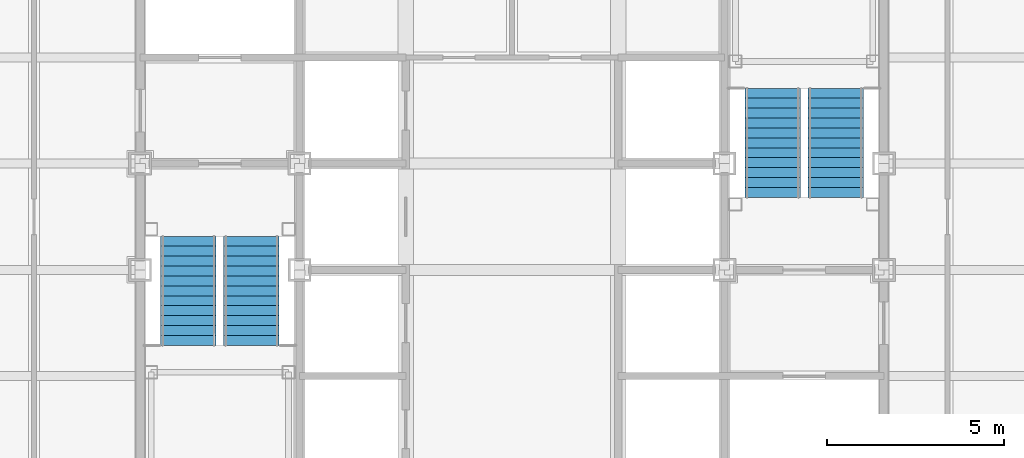
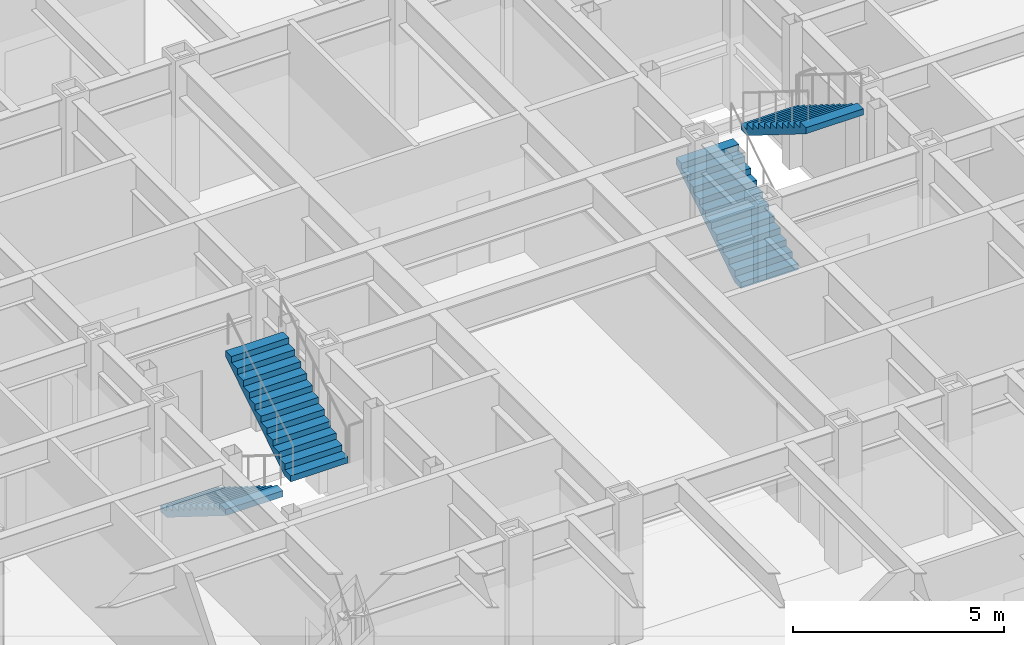
# One storey, part 14 of 16: 4 stair flights, 2 elements without a shape of their own.
"""IFC4 building model written with IfcOpenShell, lengths in metres."""

from ifc_helpers import new_model, si_unit, direction, frame, origin, place, context, subcontext, project, spatial, faceted_brep, material, type_object, element, aggregate, save


model = new_model("IFC4")

# Units and contexts
model_context = context("Model", 3, precision=1e-05, world=origin(), true_north=direction((0.0, 1.0)))
body_context = subcontext(model_context, "Body", "Model", "MODEL_VIEW")
ifc_project = project(units=[si_unit("LENGTHUNIT", "METRE"), si_unit("AREAUNIT", "SQUARE_METRE"), si_unit("VOLUMEUNIT", "CUBIC_METRE"), si_unit("PLANEANGLEUNIT", "RADIAN"), si_unit("MASSUNIT", "GRAM", prefix="KILO")], contexts=[model_context])

# Site, building, storey
site_placement = place(None, origin())
site = spatial("IfcSite", under=ifc_project, at=site_placement, CompositionType="ELEMENT")
building_placement = place(site_placement, origin())
building = spatial("IfcBuilding", under=site, at=building_placement, Name="Chuquiago Exchange Tower", CompositionType="ELEMENT")
storey_placement = place(building_placement, frame((0.0, 0.0, 213.89990234375)))
storey = spatial("IfcBuildingStorey", under=building, at=storey_placement, Name="L47", CompositionType="ELEMENT", Elevation=213.89990234375)

# Stair, stair flights
ifc_material_1 = material(Name="Concrete C30/37, precast", Category="concrete")
stair_type_1 = type_object("IfcStairType", Name="ST1 half-turn stair 4200", PredefinedType="HALF_TURN_STAIR", material=ifc_material_1)
stair_1_placement = place(storey_placement, origin())
stair_1 = element("IfcStair", 1, at=stair_1_placement, inside=storey, type_object=stair_type_1, Name="Stair ST1 L47", PredefinedType="HALF_TURN_STAIR")
ifc_material_2 = material(Name="Concrete C30/37, precast", Category="concrete")
stair_flight_type = type_object("IfcStairFlightType", Name="ST-F flight 1570 for 4200 storey", PredefinedType="STRAIGHT", material=ifc_material_2)
stair_flight_1_placement = place(storey_placement, frame((13.360107421875, 21.949951171875, 0.0), z_axis=(0.0, 0.0, 1.0), x_axis=(0.0, -1.0, 0.0)))
stair_flight_1 = element("IfcStairFlight", 2, at=stair_flight_1_placement, type_object=stair_flight_type, Name="ST1 flight 1", NumberOfRisers=12, NumberOfTreads=11, PredefinedType="STRAIGHT", RiserHeight=0.175, TreadLength=0.28, context=body_context, shape_type="Brep", body=[
    faceted_brep([(0.0, 0.78515625, 0.0), (0.0, 0.78515625, 0.175048828125), (0.280029296875, 0.78515625, 0.175048828125), (0.280029296875, 0.78515625, 0.35009765625), (0.56005859375, 0.78515625, 0.35009765625), (0.56005859375, 0.78515625, 0.52490234375), (0.840087890625, 0.78515625, 0.52490234375), (0.840087890625, 0.78515625, 0.699951171875), (1.1201171875, 0.78515625, 0.699951171875), (1.1201171875, 0.78515625, 0.875), (1.39990234375, 0.78515625, 0.875), (1.39990234375, 0.78515625, 1.050048828125), (1.679931640625, 0.78515625, 1.050048828125), (1.679931640625, 0.78515625, 1.22509765625), (1.9599609375, 0.78515625, 1.22509765625), (1.9599609375, 0.78515625, 1.39990234375), (2.239990234375, 0.78515625, 1.39990234375), (2.239990234375, 0.78515625, 1.574951171875), (2.52001953125, 0.78515625, 1.574951171875), (2.52001953125, 0.78515625, 1.75), (2.800048828125, 0.78515625, 1.75), (2.800048828125, 0.78515625, 1.925048828125), (3.080078125, 0.78515625, 1.925048828125), (3.080078125, 0.78515625, 1.748291015625), (0.28271484375, 0.78515625, 0.0), (0.28271484375, -0.78515625, 0.0), (3.080078125, -0.78515625, 1.748291015625), (3.080078125, -0.78515625, 1.925048828125), (2.800048828125, -0.78515625, 1.925048828125), (2.800048828125, -0.78515625, 1.75), (2.52001953125, -0.78515625, 1.75), (2.52001953125, -0.78515625, 1.574951171875), (2.239990234375, -0.78515625, 1.574951171875), (2.239990234375, -0.78515625, 1.39990234375), (1.9599609375, -0.78515625, 1.39990234375), (1.9599609375, -0.78515625, 1.22509765625), (1.679931640625, -0.78515625, 1.22509765625), (1.679931640625, -0.78515625, 1.050048828125), (1.39990234375, -0.78515625, 1.050048828125), (1.39990234375, -0.78515625, 0.875), (1.1201171875, -0.78515625, 0.875), (1.1201171875, -0.78515625, 0.699951171875), (0.840087890625, -0.78515625, 0.699951171875), (0.840087890625, -0.78515625, 0.52490234375), (0.56005859375, -0.78515625, 0.52490234375), (0.56005859375, -0.78515625, 0.35009765625), (0.280029296875, -0.78515625, 0.35009765625), (0.280029296875, -0.78515625, 0.175048828125), (0.0, -0.78515625, 0.175048828125), (0.0, -0.78515625, 0.0), (0.0, 0.392578125, 0.0), (0.0, 0.392578125, 0.175048828125), (0.0, 0.0, 0.0), (0.0, 0.0, 0.175048828125), (0.0, -0.392578125, 0.0), (0.0, -0.392578125, 0.175048828125), (0.280029296875, 0.392578125, 0.175048828125), (0.280029296875, 0.0, 0.175048828125), (0.280029296875, -0.392578125, 0.175048828125), (0.280029296875, 0.392578125, 0.35009765625), (0.280029296875, 0.0, 0.35009765625), (0.280029296875, -0.392578125, 0.35009765625), (0.56005859375, 0.392578125, 0.35009765625), (0.56005859375, 0.0, 0.35009765625), (0.56005859375, -0.392578125, 0.35009765625), (0.56005859375, 0.392578125, 0.52490234375), (0.56005859375, 0.0, 0.52490234375), (0.56005859375, -0.392578125, 0.52490234375), (0.840087890625, 0.392578125, 0.52490234375), (0.840087890625, 0.0, 0.52490234375), (0.840087890625, -0.392578125, 0.52490234375), (0.840087890625, 0.392578125, 0.699951171875), (0.840087890625, 0.0, 0.699951171875), (0.840087890625, -0.392578125, 0.699951171875), (1.1201171875, 0.392578125, 0.699951171875), (1.1201171875, 0.0, 0.699951171875), (1.1201171875, -0.392578125, 0.699951171875), (1.1201171875, 0.392578125, 0.875), (1.1201171875, 0.0, 0.875), (1.1201171875, -0.392578125, 0.875), (1.39990234375, 0.392578125, 0.875), (1.39990234375, 0.0, 0.875), (1.39990234375, -0.392578125, 0.875), (1.39990234375, 0.392578125, 1.050048828125), (1.39990234375, 0.0, 1.050048828125), (1.39990234375, -0.392578125, 1.050048828125), (1.679931640625, 0.392578125, 1.050048828125), (1.679931640625, 0.0, 1.050048828125), (1.679931640625, -0.392578125, 1.050048828125), (1.679931640625, 0.392578125, 1.22509765625), (1.679931640625, 0.0, 1.22509765625), (1.679931640625, -0.392578125, 1.22509765625), (1.9599609375, 0.392578125, 1.22509765625), (1.9599609375, 0.0, 1.22509765625), (1.9599609375, -0.392578125, 1.22509765625), (1.9599609375, 0.392578125, 1.39990234375), (1.9599609375, 0.0, 1.39990234375), (1.9599609375, -0.392578125, 1.39990234375), (2.239990234375, 0.392578125, 1.39990234375), (2.239990234375, 0.0, 1.39990234375), (2.239990234375, -0.392578125, 1.39990234375), (2.239990234375, 0.392578125, 1.574951171875), (2.239990234375, 0.0, 1.574951171875), (2.239990234375, -0.392578125, 1.574951171875), (2.52001953125, 0.392578125, 1.574951171875), (2.52001953125, 0.0, 1.574951171875), (2.52001953125, -0.392578125, 1.574951171875), (2.52001953125, 0.392578125, 1.75), (2.52001953125, 0.0, 1.75), (2.52001953125, -0.392578125, 1.75), (2.800048828125, 0.392578125, 1.75), (2.800048828125, 0.0, 1.75), (2.800048828125, -0.392578125, 1.75), (2.800048828125, 0.392578125, 1.925048828125), (2.800048828125, 0.0, 1.925048828125), (2.800048828125, -0.392578125, 1.925048828125), (3.080078125, 0.392578125, 1.925048828125), (3.080078125, 0.0, 1.925048828125), (3.080078125, -0.392578125, 1.925048828125), (3.080078125, 0.392578125, 1.748291015625), (3.080078125, 0.0, 1.748291015625), (3.080078125, -0.392578125, 1.748291015625), (0.28271484375, 0.392578125, 0.0), (0.28271484375, 0.0, 0.0), (0.28271484375, -0.392578125, 0.0)], [[[0, 1, 2, 3, 4, 5, 6, 7, 8, 9, 10, 11, 12, 13, 14, 15, 16, 17, 18, 19, 20, 21, 22, 23, 24]], [[25, 26, 27, 28, 29, 30, 31, 32, 33, 34, 35, 36, 37, 38, 39, 40, 41, 42, 43, 44, 45, 46, 47, 48, 49]], [[1, 0, 50, 51]], [[51, 50, 52, 53]], [[53, 52, 54, 55]], [[55, 54, 49, 48]], [[2, 1, 51, 56]], [[56, 51, 53, 57]], [[57, 53, 55, 58]], [[58, 55, 48, 47]], [[3, 2, 56, 59]], [[59, 56, 57, 60]], [[60, 57, 58, 61]], [[61, 58, 47, 46]], [[4, 3, 59, 62]], [[62, 59, 60, 63]], [[63, 60, 61, 64]], [[64, 61, 46, 45]], [[5, 4, 62, 65]], [[65, 62, 63, 66]], [[66, 63, 64, 67]], [[67, 64, 45, 44]], [[6, 5, 65, 68]], [[68, 65, 66, 69]], [[69, 66, 67, 70]], [[70, 67, 44, 43]], [[7, 6, 68, 71]], [[71, 68, 69, 72]], [[72, 69, 70, 73]], [[73, 70, 43, 42]], [[8, 7, 71, 74]], [[74, 71, 72, 75]], [[75, 72, 73, 76]], [[76, 73, 42, 41]], [[9, 8, 74, 77]], [[77, 74, 75, 78]], [[78, 75, 76, 79]], [[79, 76, 41, 40]], [[10, 9, 77, 80]], [[80, 77, 78, 81]], [[81, 78, 79, 82]], [[82, 79, 40, 39]], [[11, 10, 80, 83]], [[83, 80, 81, 84]], [[84, 81, 82, 85]], [[85, 82, 39, 38]], [[12, 11, 83, 86]], [[86, 83, 84, 87]], [[87, 84, 85, 88]], [[88, 85, 38, 37]], [[13, 12, 86, 89]], [[89, 86, 87, 90]], [[90, 87, 88, 91]], [[91, 88, 37, 36]], [[14, 13, 89, 92]], [[92, 89, 90, 93]], [[93, 90, 91, 94]], [[94, 91, 36, 35]], [[15, 14, 92, 95]], [[95, 92, 93, 96]], [[96, 93, 94, 97]], [[97, 94, 35, 34]], [[16, 15, 95, 98]], [[98, 95, 96, 99]], [[99, 96, 97, 100]], [[100, 97, 34, 33]], [[17, 16, 98, 101]], [[101, 98, 99, 102]], [[102, 99, 100, 103]], [[103, 100, 33, 32]], [[18, 17, 101, 104]], [[104, 101, 102, 105]], [[105, 102, 103, 106]], [[106, 103, 32, 31]], [[19, 18, 104, 107]], [[107, 104, 105, 108]], [[108, 105, 106, 109]], [[109, 106, 31, 30]], [[20, 19, 107, 110]], [[110, 107, 108, 111]], [[111, 108, 109, 112]], [[112, 109, 30, 29]], [[21, 20, 110, 113]], [[113, 110, 111, 114]], [[114, 111, 112, 115]], [[115, 112, 29, 28]], [[22, 21, 113, 116]], [[116, 113, 114, 117]], [[117, 114, 115, 118]], [[118, 115, 28, 27]], [[23, 22, 116, 119]], [[119, 116, 117, 120]], [[120, 117, 118, 121]], [[121, 118, 27, 26]], [[24, 23, 119, 122]], [[122, 119, 120, 123]], [[123, 120, 121, 124]], [[124, 121, 26, 25]], [[0, 24, 122, 50]], [[50, 122, 123, 52]], [[52, 123, 124, 54]], [[54, 124, 25, 49]]]),
])
stair_flight_2_placement = place(storey_placement, frame((15.139892578125, 18.8701171875, 2.10009765625), z_axis=(0.0, 0.0, 1.0), x_axis=(0.0, 1.0, 0.0)))
stair_flight_2 = element("IfcStairFlight", 3, at=stair_flight_2_placement, type_object=stair_flight_type, Name="ST1 flight 2", NumberOfRisers=12, NumberOfTreads=11, PredefinedType="STRAIGHT", RiserHeight=0.175, TreadLength=0.28, context=body_context, shape_type="Brep", body=[
    faceted_brep([(0.0, 0.78515625, 0.0), (0.0, 0.78515625, 0.175048828125), (0.280029296875, 0.78515625, 0.175048828125), (0.280029296875, 0.78515625, 0.35009765625), (0.56005859375, 0.78515625, 0.35009765625), (0.56005859375, 0.78515625, 0.52490234375), (0.840087890625, 0.78515625, 0.52490234375), (0.840087890625, 0.78515625, 0.699951171875), (1.1201171875, 0.78515625, 0.699951171875), (1.1201171875, 0.78515625, 0.875), (1.39990234375, 0.78515625, 0.875), (1.39990234375, 0.78515625, 1.050048828125), (1.679931640625, 0.78515625, 1.050048828125), (1.679931640625, 0.78515625, 1.22509765625), (1.9599609375, 0.78515625, 1.22509765625), (1.9599609375, 0.78515625, 1.39990234375), (2.239990234375, 0.78515625, 1.39990234375), (2.239990234375, 0.78515625, 1.574951171875), (2.52001953125, 0.78515625, 1.574951171875), (2.52001953125, 0.78515625, 1.75), (2.800048828125, 0.78515625, 1.75), (2.800048828125, 0.78515625, 1.925048828125), (3.080078125, 0.78515625, 1.925048828125), (3.080078125, 0.78515625, 1.748291015625), (0.28271484375, 0.78515625, 0.0), (0.28271484375, -0.78515625, 0.0), (3.080078125, -0.78515625, 1.748291015625), (3.080078125, -0.78515625, 1.925048828125), (2.800048828125, -0.78515625, 1.925048828125), (2.800048828125, -0.78515625, 1.75), (2.52001953125, -0.78515625, 1.75), (2.52001953125, -0.78515625, 1.574951171875), (2.239990234375, -0.78515625, 1.574951171875), (2.239990234375, -0.78515625, 1.39990234375), (1.9599609375, -0.78515625, 1.39990234375), (1.9599609375, -0.78515625, 1.22509765625), (1.679931640625, -0.78515625, 1.22509765625), (1.679931640625, -0.78515625, 1.050048828125), (1.39990234375, -0.78515625, 1.050048828125), (1.39990234375, -0.78515625, 0.875), (1.1201171875, -0.78515625, 0.875), (1.1201171875, -0.78515625, 0.699951171875), (0.840087890625, -0.78515625, 0.699951171875), (0.840087890625, -0.78515625, 0.52490234375), (0.56005859375, -0.78515625, 0.52490234375), (0.56005859375, -0.78515625, 0.35009765625), (0.280029296875, -0.78515625, 0.35009765625), (0.280029296875, -0.78515625, 0.175048828125), (0.0, -0.78515625, 0.175048828125), (0.0, -0.78515625, 0.0), (0.0, 0.392578125, 0.0), (0.0, 0.392578125, 0.175048828125), (0.0, 0.0, 0.0), (0.0, 0.0, 0.175048828125), (0.0, -0.392578125, 0.0), (0.0, -0.392578125, 0.175048828125), (0.280029296875, 0.392578125, 0.175048828125), (0.280029296875, 0.0, 0.175048828125), (0.280029296875, -0.392578125, 0.175048828125), (0.280029296875, 0.392578125, 0.35009765625), (0.280029296875, 0.0, 0.35009765625), (0.280029296875, -0.392578125, 0.35009765625), (0.56005859375, 0.392578125, 0.35009765625), (0.56005859375, 0.0, 0.35009765625), (0.56005859375, -0.392578125, 0.35009765625), (0.56005859375, 0.392578125, 0.52490234375), (0.56005859375, 0.0, 0.52490234375), (0.56005859375, -0.392578125, 0.52490234375), (0.840087890625, 0.392578125, 0.52490234375), (0.840087890625, 0.0, 0.52490234375), (0.840087890625, -0.392578125, 0.52490234375), (0.840087890625, 0.392578125, 0.699951171875), (0.840087890625, 0.0, 0.699951171875), (0.840087890625, -0.392578125, 0.699951171875), (1.1201171875, 0.392578125, 0.699951171875), (1.1201171875, 0.0, 0.699951171875), (1.1201171875, -0.392578125, 0.699951171875), (1.1201171875, 0.392578125, 0.875), (1.1201171875, 0.0, 0.875), (1.1201171875, -0.392578125, 0.875), (1.39990234375, 0.392578125, 0.875), (1.39990234375, 0.0, 0.875), (1.39990234375, -0.392578125, 0.875), (1.39990234375, 0.392578125, 1.050048828125), (1.39990234375, 0.0, 1.050048828125), (1.39990234375, -0.392578125, 1.050048828125), (1.679931640625, 0.392578125, 1.050048828125), (1.679931640625, 0.0, 1.050048828125), (1.679931640625, -0.392578125, 1.050048828125), (1.679931640625, 0.392578125, 1.22509765625), (1.679931640625, 0.0, 1.22509765625), (1.679931640625, -0.392578125, 1.22509765625), (1.9599609375, 0.392578125, 1.22509765625), (1.9599609375, 0.0, 1.22509765625), (1.9599609375, -0.392578125, 1.22509765625), (1.9599609375, 0.392578125, 1.39990234375), (1.9599609375, 0.0, 1.39990234375), (1.9599609375, -0.392578125, 1.39990234375), (2.239990234375, 0.392578125, 1.39990234375), (2.239990234375, 0.0, 1.39990234375), (2.239990234375, -0.392578125, 1.39990234375), (2.239990234375, 0.392578125, 1.574951171875), (2.239990234375, 0.0, 1.574951171875), (2.239990234375, -0.392578125, 1.574951171875), (2.52001953125, 0.392578125, 1.574951171875), (2.52001953125, 0.0, 1.574951171875), (2.52001953125, -0.392578125, 1.574951171875), (2.52001953125, 0.392578125, 1.75), (2.52001953125, 0.0, 1.75), (2.52001953125, -0.392578125, 1.75), (2.800048828125, 0.392578125, 1.75), (2.800048828125, 0.0, 1.75), (2.800048828125, -0.392578125, 1.75), (2.800048828125, 0.392578125, 1.925048828125), (2.800048828125, 0.0, 1.925048828125), (2.800048828125, -0.392578125, 1.925048828125), (3.080078125, 0.392578125, 1.925048828125), (3.080078125, 0.0, 1.925048828125), (3.080078125, -0.392578125, 1.925048828125), (3.080078125, 0.392578125, 1.748291015625), (3.080078125, 0.0, 1.748291015625), (3.080078125, -0.392578125, 1.748291015625), (0.28271484375, 0.392578125, 0.0), (0.28271484375, 0.0, 0.0), (0.28271484375, -0.392578125, 0.0)], [[[0, 1, 2, 3, 4, 5, 6, 7, 8, 9, 10, 11, 12, 13, 14, 15, 16, 17, 18, 19, 20, 21, 22, 23, 24]], [[25, 26, 27, 28, 29, 30, 31, 32, 33, 34, 35, 36, 37, 38, 39, 40, 41, 42, 43, 44, 45, 46, 47, 48, 49]], [[1, 0, 50, 51]], [[51, 50, 52, 53]], [[53, 52, 54, 55]], [[55, 54, 49, 48]], [[2, 1, 51, 56]], [[56, 51, 53, 57]], [[57, 53, 55, 58]], [[58, 55, 48, 47]], [[3, 2, 56, 59]], [[59, 56, 57, 60]], [[60, 57, 58, 61]], [[61, 58, 47, 46]], [[4, 3, 59, 62]], [[62, 59, 60, 63]], [[63, 60, 61, 64]], [[64, 61, 46, 45]], [[5, 4, 62, 65]], [[65, 62, 63, 66]], [[66, 63, 64, 67]], [[67, 64, 45, 44]], [[6, 5, 65, 68]], [[68, 65, 66, 69]], [[69, 66, 67, 70]], [[70, 67, 44, 43]], [[7, 6, 68, 71]], [[71, 68, 69, 72]], [[72, 69, 70, 73]], [[73, 70, 43, 42]], [[8, 7, 71, 74]], [[74, 71, 72, 75]], [[75, 72, 73, 76]], [[76, 73, 42, 41]], [[9, 8, 74, 77]], [[77, 74, 75, 78]], [[78, 75, 76, 79]], [[79, 76, 41, 40]], [[10, 9, 77, 80]], [[80, 77, 78, 81]], [[81, 78, 79, 82]], [[82, 79, 40, 39]], [[11, 10, 80, 83]], [[83, 80, 81, 84]], [[84, 81, 82, 85]], [[85, 82, 39, 38]], [[12, 11, 83, 86]], [[86, 83, 84, 87]], [[87, 84, 85, 88]], [[88, 85, 38, 37]], [[13, 12, 86, 89]], [[89, 86, 87, 90]], [[90, 87, 88, 91]], [[91, 88, 37, 36]], [[14, 13, 89, 92]], [[92, 89, 90, 93]], [[93, 90, 91, 94]], [[94, 91, 36, 35]], [[15, 14, 92, 95]], [[95, 92, 93, 96]], [[96, 93, 94, 97]], [[97, 94, 35, 34]], [[16, 15, 95, 98]], [[98, 95, 96, 99]], [[99, 96, 97, 100]], [[100, 97, 34, 33]], [[17, 16, 98, 101]], [[101, 98, 99, 102]], [[102, 99, 100, 103]], [[103, 100, 33, 32]], [[18, 17, 101, 104]], [[104, 101, 102, 105]], [[105, 102, 103, 106]], [[106, 103, 32, 31]], [[19, 18, 104, 107]], [[107, 104, 105, 108]], [[108, 105, 106, 109]], [[109, 106, 31, 30]], [[20, 19, 107, 110]], [[110, 107, 108, 111]], [[111, 108, 109, 112]], [[112, 109, 30, 29]], [[21, 20, 110, 113]], [[113, 110, 111, 114]], [[114, 111, 112, 115]], [[115, 112, 29, 28]], [[22, 21, 113, 116]], [[116, 113, 114, 117]], [[117, 114, 115, 118]], [[118, 115, 28, 27]], [[23, 22, 116, 119]], [[119, 116, 117, 120]], [[120, 117, 118, 121]], [[121, 118, 27, 26]], [[24, 23, 119, 122]], [[122, 119, 120, 123]], [[123, 120, 121, 124]], [[124, 121, 26, 25]], [[0, 24, 122, 50]], [[50, 122, 123, 52]], [[52, 123, 124, 54]], [[54, 124, 25, 49]]]),
])
aggregate(stair_1, [stair_flight_1, stair_flight_2])

ifc_material_3 = material(Name="Concrete C30/37, precast", Category="concrete")
stair_type_2 = type_object("IfcStairType", Name="ST2 half-turn stair 4200", PredefinedType="HALF_TURN_STAIR", material=ifc_material_3)
stair_2_placement = place(storey_placement, origin())
stair_2 = element("IfcStair", 4, at=stair_2_placement, inside=storey, type_object=stair_type_2, Name="Stair ST2 L47", PredefinedType="HALF_TURN_STAIR")
stair_flight_3_placement = place(storey_placement, frame((29.860107421875, 23.050048828125, 0.0), z_axis=(0.0, 0.0, 1.0), x_axis=(0.0, 1.0, 0.0)))
stair_flight_3 = element("IfcStairFlight", 5, at=stair_flight_3_placement, type_object=stair_flight_type, Name="ST2 flight 1", NumberOfRisers=12, NumberOfTreads=11, PredefinedType="STRAIGHT", RiserHeight=0.175, TreadLength=0.28, context=body_context, shape_type="Brep", body=[
    faceted_brep([(0.0, 0.78515625, 0.0), (0.0, 0.78515625, 0.175048828125), (0.280029296875, 0.78515625, 0.175048828125), (0.280029296875, 0.78515625, 0.35009765625), (0.56005859375, 0.78515625, 0.35009765625), (0.56005859375, 0.78515625, 0.52490234375), (0.840087890625, 0.78515625, 0.52490234375), (0.840087890625, 0.78515625, 0.699951171875), (1.1201171875, 0.78515625, 0.699951171875), (1.1201171875, 0.78515625, 0.875), (1.39990234375, 0.78515625, 0.875), (1.39990234375, 0.78515625, 1.050048828125), (1.679931640625, 0.78515625, 1.050048828125), (1.679931640625, 0.78515625, 1.22509765625), (1.9599609375, 0.78515625, 1.22509765625), (1.9599609375, 0.78515625, 1.39990234375), (2.239990234375, 0.78515625, 1.39990234375), (2.239990234375, 0.78515625, 1.574951171875), (2.52001953125, 0.78515625, 1.574951171875), (2.52001953125, 0.78515625, 1.75), (2.800048828125, 0.78515625, 1.75), (2.800048828125, 0.78515625, 1.925048828125), (3.080078125, 0.78515625, 1.925048828125), (3.080078125, 0.78515625, 1.748291015625), (0.28271484375, 0.78515625, 0.0), (0.28271484375, -0.78515625, 0.0), (3.080078125, -0.78515625, 1.748291015625), (3.080078125, -0.78515625, 1.925048828125), (2.800048828125, -0.78515625, 1.925048828125), (2.800048828125, -0.78515625, 1.75), (2.52001953125, -0.78515625, 1.75), (2.52001953125, -0.78515625, 1.574951171875), (2.239990234375, -0.78515625, 1.574951171875), (2.239990234375, -0.78515625, 1.39990234375), (1.9599609375, -0.78515625, 1.39990234375), (1.9599609375, -0.78515625, 1.22509765625), (1.679931640625, -0.78515625, 1.22509765625), (1.679931640625, -0.78515625, 1.050048828125), (1.39990234375, -0.78515625, 1.050048828125), (1.39990234375, -0.78515625, 0.875), (1.1201171875, -0.78515625, 0.875), (1.1201171875, -0.78515625, 0.699951171875), (0.840087890625, -0.78515625, 0.699951171875), (0.840087890625, -0.78515625, 0.52490234375), (0.56005859375, -0.78515625, 0.52490234375), (0.56005859375, -0.78515625, 0.35009765625), (0.280029296875, -0.78515625, 0.35009765625), (0.280029296875, -0.78515625, 0.175048828125), (0.0, -0.78515625, 0.175048828125), (0.0, -0.78515625, 0.0), (0.0, 0.392578125, 0.0), (0.0, 0.392578125, 0.175048828125), (0.0, 0.0, 0.0), (0.0, 0.0, 0.175048828125), (0.0, -0.392578125, 0.0), (0.0, -0.392578125, 0.175048828125), (0.280029296875, 0.392578125, 0.175048828125), (0.280029296875, 0.0, 0.175048828125), (0.280029296875, -0.392578125, 0.175048828125), (0.280029296875, 0.392578125, 0.35009765625), (0.280029296875, 0.0, 0.35009765625), (0.280029296875, -0.392578125, 0.35009765625), (0.56005859375, 0.392578125, 0.35009765625), (0.56005859375, 0.0, 0.35009765625), (0.56005859375, -0.392578125, 0.35009765625), (0.56005859375, 0.392578125, 0.52490234375), (0.56005859375, 0.0, 0.52490234375), (0.56005859375, -0.392578125, 0.52490234375), (0.840087890625, 0.392578125, 0.52490234375), (0.840087890625, 0.0, 0.52490234375), (0.840087890625, -0.392578125, 0.52490234375), (0.840087890625, 0.392578125, 0.699951171875), (0.840087890625, 0.0, 0.699951171875), (0.840087890625, -0.392578125, 0.699951171875), (1.1201171875, 0.392578125, 0.699951171875), (1.1201171875, 0.0, 0.699951171875), (1.1201171875, -0.392578125, 0.699951171875), (1.1201171875, 0.392578125, 0.875), (1.1201171875, 0.0, 0.875), (1.1201171875, -0.392578125, 0.875), (1.39990234375, 0.392578125, 0.875), (1.39990234375, 0.0, 0.875), (1.39990234375, -0.392578125, 0.875), (1.39990234375, 0.392578125, 1.050048828125), (1.39990234375, 0.0, 1.050048828125), (1.39990234375, -0.392578125, 1.050048828125), (1.679931640625, 0.392578125, 1.050048828125), (1.679931640625, 0.0, 1.050048828125), (1.679931640625, -0.392578125, 1.050048828125), (1.679931640625, 0.392578125, 1.22509765625), (1.679931640625, 0.0, 1.22509765625), (1.679931640625, -0.392578125, 1.22509765625), (1.9599609375, 0.392578125, 1.22509765625), (1.9599609375, 0.0, 1.22509765625), (1.9599609375, -0.392578125, 1.22509765625), (1.9599609375, 0.392578125, 1.39990234375), (1.9599609375, 0.0, 1.39990234375), (1.9599609375, -0.392578125, 1.39990234375), (2.239990234375, 0.392578125, 1.39990234375), (2.239990234375, 0.0, 1.39990234375), (2.239990234375, -0.392578125, 1.39990234375), (2.239990234375, 0.392578125, 1.574951171875), (2.239990234375, 0.0, 1.574951171875), (2.239990234375, -0.392578125, 1.574951171875), (2.52001953125, 0.392578125, 1.574951171875), (2.52001953125, 0.0, 1.574951171875), (2.52001953125, -0.392578125, 1.574951171875), (2.52001953125, 0.392578125, 1.75), (2.52001953125, 0.0, 1.75), (2.52001953125, -0.392578125, 1.75), (2.800048828125, 0.392578125, 1.75), (2.800048828125, 0.0, 1.75), (2.800048828125, -0.392578125, 1.75), (2.800048828125, 0.392578125, 1.925048828125), (2.800048828125, 0.0, 1.925048828125), (2.800048828125, -0.392578125, 1.925048828125), (3.080078125, 0.392578125, 1.925048828125), (3.080078125, 0.0, 1.925048828125), (3.080078125, -0.392578125, 1.925048828125), (3.080078125, 0.392578125, 1.748291015625), (3.080078125, 0.0, 1.748291015625), (3.080078125, -0.392578125, 1.748291015625), (0.28271484375, 0.392578125, 0.0), (0.28271484375, 0.0, 0.0), (0.28271484375, -0.392578125, 0.0)], [[[0, 1, 2, 3, 4, 5, 6, 7, 8, 9, 10, 11, 12, 13, 14, 15, 16, 17, 18, 19, 20, 21, 22, 23, 24]], [[25, 26, 27, 28, 29, 30, 31, 32, 33, 34, 35, 36, 37, 38, 39, 40, 41, 42, 43, 44, 45, 46, 47, 48, 49]], [[1, 0, 50, 51]], [[51, 50, 52, 53]], [[53, 52, 54, 55]], [[55, 54, 49, 48]], [[2, 1, 51, 56]], [[56, 51, 53, 57]], [[57, 53, 55, 58]], [[58, 55, 48, 47]], [[3, 2, 56, 59]], [[59, 56, 57, 60]], [[60, 57, 58, 61]], [[61, 58, 47, 46]], [[4, 3, 59, 62]], [[62, 59, 60, 63]], [[63, 60, 61, 64]], [[64, 61, 46, 45]], [[5, 4, 62, 65]], [[65, 62, 63, 66]], [[66, 63, 64, 67]], [[67, 64, 45, 44]], [[6, 5, 65, 68]], [[68, 65, 66, 69]], [[69, 66, 67, 70]], [[70, 67, 44, 43]], [[7, 6, 68, 71]], [[71, 68, 69, 72]], [[72, 69, 70, 73]], [[73, 70, 43, 42]], [[8, 7, 71, 74]], [[74, 71, 72, 75]], [[75, 72, 73, 76]], [[76, 73, 42, 41]], [[9, 8, 74, 77]], [[77, 74, 75, 78]], [[78, 75, 76, 79]], [[79, 76, 41, 40]], [[10, 9, 77, 80]], [[80, 77, 78, 81]], [[81, 78, 79, 82]], [[82, 79, 40, 39]], [[11, 10, 80, 83]], [[83, 80, 81, 84]], [[84, 81, 82, 85]], [[85, 82, 39, 38]], [[12, 11, 83, 86]], [[86, 83, 84, 87]], [[87, 84, 85, 88]], [[88, 85, 38, 37]], [[13, 12, 86, 89]], [[89, 86, 87, 90]], [[90, 87, 88, 91]], [[91, 88, 37, 36]], [[14, 13, 89, 92]], [[92, 89, 90, 93]], [[93, 90, 91, 94]], [[94, 91, 36, 35]], [[15, 14, 92, 95]], [[95, 92, 93, 96]], [[96, 93, 94, 97]], [[97, 94, 35, 34]], [[16, 15, 95, 98]], [[98, 95, 96, 99]], [[99, 96, 97, 100]], [[100, 97, 34, 33]], [[17, 16, 98, 101]], [[101, 98, 99, 102]], [[102, 99, 100, 103]], [[103, 100, 33, 32]], [[18, 17, 101, 104]], [[104, 101, 102, 105]], [[105, 102, 103, 106]], [[106, 103, 32, 31]], [[19, 18, 104, 107]], [[107, 104, 105, 108]], [[108, 105, 106, 109]], [[109, 106, 31, 30]], [[20, 19, 107, 110]], [[110, 107, 108, 111]], [[111, 108, 109, 112]], [[112, 109, 30, 29]], [[21, 20, 110, 113]], [[113, 110, 111, 114]], [[114, 111, 112, 115]], [[115, 112, 29, 28]], [[22, 21, 113, 116]], [[116, 113, 114, 117]], [[117, 114, 115, 118]], [[118, 115, 28, 27]], [[23, 22, 116, 119]], [[119, 116, 117, 120]], [[120, 117, 118, 121]], [[121, 118, 27, 26]], [[24, 23, 119, 122]], [[122, 119, 120, 123]], [[123, 120, 121, 124]], [[124, 121, 26, 25]], [[0, 24, 122, 50]], [[50, 122, 123, 52]], [[52, 123, 124, 54]], [[54, 124, 25, 49]]]),
])
stair_flight_4_placement = place(storey_placement, frame((31.639892578125, 26.1298828125, 2.10009765625), z_axis=(0.0, 0.0, 1.0), x_axis=(0.0, -1.0, 0.0)))
stair_flight_4 = element("IfcStairFlight", 6, at=stair_flight_4_placement, type_object=stair_flight_type, Name="ST2 flight 2", NumberOfRisers=12, NumberOfTreads=11, PredefinedType="STRAIGHT", RiserHeight=0.175, TreadLength=0.28, context=body_context, shape_type="Brep", body=[
    faceted_brep([(0.0, 0.78515625, 0.0), (0.0, 0.78515625, 0.175048828125), (0.280029296875, 0.78515625, 0.175048828125), (0.280029296875, 0.78515625, 0.35009765625), (0.56005859375, 0.78515625, 0.35009765625), (0.56005859375, 0.78515625, 0.52490234375), (0.840087890625, 0.78515625, 0.52490234375), (0.840087890625, 0.78515625, 0.699951171875), (1.1201171875, 0.78515625, 0.699951171875), (1.1201171875, 0.78515625, 0.875), (1.39990234375, 0.78515625, 0.875), (1.39990234375, 0.78515625, 1.050048828125), (1.679931640625, 0.78515625, 1.050048828125), (1.679931640625, 0.78515625, 1.22509765625), (1.9599609375, 0.78515625, 1.22509765625), (1.9599609375, 0.78515625, 1.39990234375), (2.239990234375, 0.78515625, 1.39990234375), (2.239990234375, 0.78515625, 1.574951171875), (2.52001953125, 0.78515625, 1.574951171875), (2.52001953125, 0.78515625, 1.75), (2.800048828125, 0.78515625, 1.75), (2.800048828125, 0.78515625, 1.925048828125), (3.080078125, 0.78515625, 1.925048828125), (3.080078125, 0.78515625, 1.748291015625), (0.28271484375, 0.78515625, 0.0), (0.28271484375, -0.78515625, 0.0), (3.080078125, -0.78515625, 1.748291015625), (3.080078125, -0.78515625, 1.925048828125), (2.800048828125, -0.78515625, 1.925048828125), (2.800048828125, -0.78515625, 1.75), (2.52001953125, -0.78515625, 1.75), (2.52001953125, -0.78515625, 1.574951171875), (2.239990234375, -0.78515625, 1.574951171875), (2.239990234375, -0.78515625, 1.39990234375), (1.9599609375, -0.78515625, 1.39990234375), (1.9599609375, -0.78515625, 1.22509765625), (1.679931640625, -0.78515625, 1.22509765625), (1.679931640625, -0.78515625, 1.050048828125), (1.39990234375, -0.78515625, 1.050048828125), (1.39990234375, -0.78515625, 0.875), (1.1201171875, -0.78515625, 0.875), (1.1201171875, -0.78515625, 0.699951171875), (0.840087890625, -0.78515625, 0.699951171875), (0.840087890625, -0.78515625, 0.52490234375), (0.56005859375, -0.78515625, 0.52490234375), (0.56005859375, -0.78515625, 0.35009765625), (0.280029296875, -0.78515625, 0.35009765625), (0.280029296875, -0.78515625, 0.175048828125), (0.0, -0.78515625, 0.175048828125), (0.0, -0.78515625, 0.0), (0.0, 0.392578125, 0.0), (0.0, 0.392578125, 0.175048828125), (0.0, 0.0, 0.0), (0.0, 0.0, 0.175048828125), (0.0, -0.392578125, 0.0), (0.0, -0.392578125, 0.175048828125), (0.280029296875, 0.392578125, 0.175048828125), (0.280029296875, 0.0, 0.175048828125), (0.280029296875, -0.392578125, 0.175048828125), (0.280029296875, 0.392578125, 0.35009765625), (0.280029296875, 0.0, 0.35009765625), (0.280029296875, -0.392578125, 0.35009765625), (0.56005859375, 0.392578125, 0.35009765625), (0.56005859375, 0.0, 0.35009765625), (0.56005859375, -0.392578125, 0.35009765625), (0.56005859375, 0.392578125, 0.52490234375), (0.56005859375, 0.0, 0.52490234375), (0.56005859375, -0.392578125, 0.52490234375), (0.840087890625, 0.392578125, 0.52490234375), (0.840087890625, 0.0, 0.52490234375), (0.840087890625, -0.392578125, 0.52490234375), (0.840087890625, 0.392578125, 0.699951171875), (0.840087890625, 0.0, 0.699951171875), (0.840087890625, -0.392578125, 0.699951171875), (1.1201171875, 0.392578125, 0.699951171875), (1.1201171875, 0.0, 0.699951171875), (1.1201171875, -0.392578125, 0.699951171875), (1.1201171875, 0.392578125, 0.875), (1.1201171875, 0.0, 0.875), (1.1201171875, -0.392578125, 0.875), (1.39990234375, 0.392578125, 0.875), (1.39990234375, 0.0, 0.875), (1.39990234375, -0.392578125, 0.875), (1.39990234375, 0.392578125, 1.050048828125), (1.39990234375, 0.0, 1.050048828125), (1.39990234375, -0.392578125, 1.050048828125), (1.679931640625, 0.392578125, 1.050048828125), (1.679931640625, 0.0, 1.050048828125), (1.679931640625, -0.392578125, 1.050048828125), (1.679931640625, 0.392578125, 1.22509765625), (1.679931640625, 0.0, 1.22509765625), (1.679931640625, -0.392578125, 1.22509765625), (1.9599609375, 0.392578125, 1.22509765625), (1.9599609375, 0.0, 1.22509765625), (1.9599609375, -0.392578125, 1.22509765625), (1.9599609375, 0.392578125, 1.39990234375), (1.9599609375, 0.0, 1.39990234375), (1.9599609375, -0.392578125, 1.39990234375), (2.239990234375, 0.392578125, 1.39990234375), (2.239990234375, 0.0, 1.39990234375), (2.239990234375, -0.392578125, 1.39990234375), (2.239990234375, 0.392578125, 1.574951171875), (2.239990234375, 0.0, 1.574951171875), (2.239990234375, -0.392578125, 1.574951171875), (2.52001953125, 0.392578125, 1.574951171875), (2.52001953125, 0.0, 1.574951171875), (2.52001953125, -0.392578125, 1.574951171875), (2.52001953125, 0.392578125, 1.75), (2.52001953125, 0.0, 1.75), (2.52001953125, -0.392578125, 1.75), (2.800048828125, 0.392578125, 1.75), (2.800048828125, 0.0, 1.75), (2.800048828125, -0.392578125, 1.75), (2.800048828125, 0.392578125, 1.925048828125), (2.800048828125, 0.0, 1.925048828125), (2.800048828125, -0.392578125, 1.925048828125), (3.080078125, 0.392578125, 1.925048828125), (3.080078125, 0.0, 1.925048828125), (3.080078125, -0.392578125, 1.925048828125), (3.080078125, 0.392578125, 1.748291015625), (3.080078125, 0.0, 1.748291015625), (3.080078125, -0.392578125, 1.748291015625), (0.28271484375, 0.392578125, 0.0), (0.28271484375, 0.0, 0.0), (0.28271484375, -0.392578125, 0.0)], [[[0, 1, 2, 3, 4, 5, 6, 7, 8, 9, 10, 11, 12, 13, 14, 15, 16, 17, 18, 19, 20, 21, 22, 23, 24]], [[25, 26, 27, 28, 29, 30, 31, 32, 33, 34, 35, 36, 37, 38, 39, 40, 41, 42, 43, 44, 45, 46, 47, 48, 49]], [[1, 0, 50, 51]], [[51, 50, 52, 53]], [[53, 52, 54, 55]], [[55, 54, 49, 48]], [[2, 1, 51, 56]], [[56, 51, 53, 57]], [[57, 53, 55, 58]], [[58, 55, 48, 47]], [[3, 2, 56, 59]], [[59, 56, 57, 60]], [[60, 57, 58, 61]], [[61, 58, 47, 46]], [[4, 3, 59, 62]], [[62, 59, 60, 63]], [[63, 60, 61, 64]], [[64, 61, 46, 45]], [[5, 4, 62, 65]], [[65, 62, 63, 66]], [[66, 63, 64, 67]], [[67, 64, 45, 44]], [[6, 5, 65, 68]], [[68, 65, 66, 69]], [[69, 66, 67, 70]], [[70, 67, 44, 43]], [[7, 6, 68, 71]], [[71, 68, 69, 72]], [[72, 69, 70, 73]], [[73, 70, 43, 42]], [[8, 7, 71, 74]], [[74, 71, 72, 75]], [[75, 72, 73, 76]], [[76, 73, 42, 41]], [[9, 8, 74, 77]], [[77, 74, 75, 78]], [[78, 75, 76, 79]], [[79, 76, 41, 40]], [[10, 9, 77, 80]], [[80, 77, 78, 81]], [[81, 78, 79, 82]], [[82, 79, 40, 39]], [[11, 10, 80, 83]], [[83, 80, 81, 84]], [[84, 81, 82, 85]], [[85, 82, 39, 38]], [[12, 11, 83, 86]], [[86, 83, 84, 87]], [[87, 84, 85, 88]], [[88, 85, 38, 37]], [[13, 12, 86, 89]], [[89, 86, 87, 90]], [[90, 87, 88, 91]], [[91, 88, 37, 36]], [[14, 13, 89, 92]], [[92, 89, 90, 93]], [[93, 90, 91, 94]], [[94, 91, 36, 35]], [[15, 14, 92, 95]], [[95, 92, 93, 96]], [[96, 93, 94, 97]], [[97, 94, 35, 34]], [[16, 15, 95, 98]], [[98, 95, 96, 99]], [[99, 96, 97, 100]], [[100, 97, 34, 33]], [[17, 16, 98, 101]], [[101, 98, 99, 102]], [[102, 99, 100, 103]], [[103, 100, 33, 32]], [[18, 17, 101, 104]], [[104, 101, 102, 105]], [[105, 102, 103, 106]], [[106, 103, 32, 31]], [[19, 18, 104, 107]], [[107, 104, 105, 108]], [[108, 105, 106, 109]], [[109, 106, 31, 30]], [[20, 19, 107, 110]], [[110, 107, 108, 111]], [[111, 108, 109, 112]], [[112, 109, 30, 29]], [[21, 20, 110, 113]], [[113, 110, 111, 114]], [[114, 111, 112, 115]], [[115, 112, 29, 28]], [[22, 21, 113, 116]], [[116, 113, 114, 117]], [[117, 114, 115, 118]], [[118, 115, 28, 27]], [[23, 22, 116, 119]], [[119, 116, 117, 120]], [[120, 117, 118, 121]], [[121, 118, 27, 26]], [[24, 23, 119, 122]], [[122, 119, 120, 123]], [[123, 120, 121, 124]], [[124, 121, 26, 25]], [[0, 24, 122, 50]], [[50, 122, 123, 52]], [[52, 123, 124, 54]], [[54, 124, 25, 49]]]),
])
aggregate(stair_2, [stair_flight_3, stair_flight_4])

save(model, "model.ifc")
